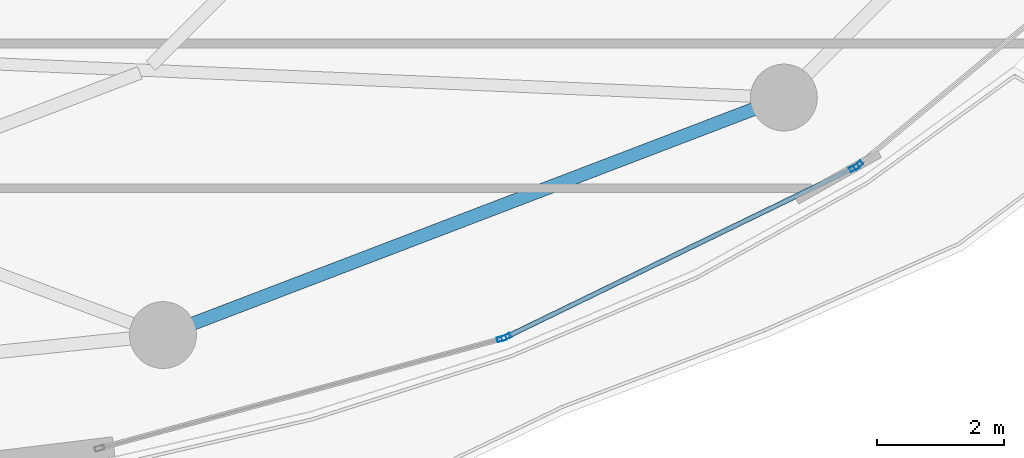
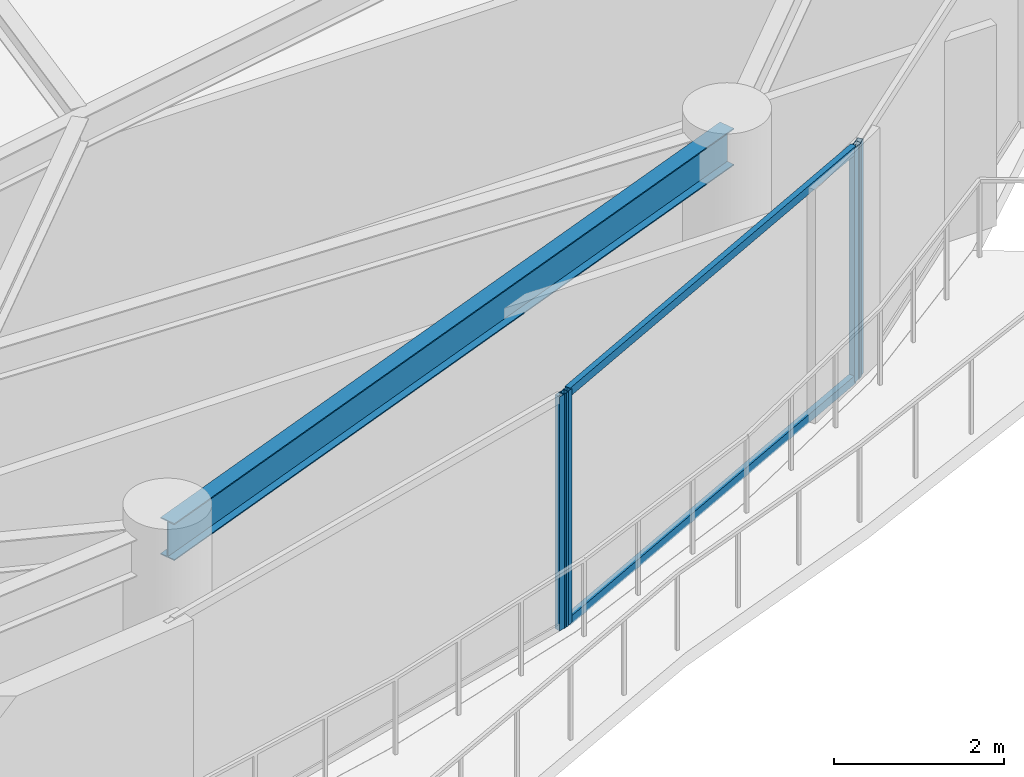
# One storey, part 13 of 31: 6 members, 1 beam, 3 elements without a shape of their own.
"""IFC4 building model written with IfcOpenShell, lengths in metres."""

from ifc_helpers import new_model, si_unit, direction, frame, origin, origin_2d, place, context, subcontext, project, spatial, hollow_rectangle, i_section, extrude, material, layer, layer_set, material_profile, profile_set, type_object, element, aggregate, save


model = new_model("IFC4")

# Units and contexts
model_context = context("Model", 3, precision=1e-05, world=origin(), true_north=direction((0.0, 1.0)))
body_context = subcontext(model_context, "Body", "Model", "MODEL_VIEW")
ifc_project = project(units=[si_unit("LENGTHUNIT", "METRE"), si_unit("AREAUNIT", "SQUARE_METRE"), si_unit("VOLUMEUNIT", "CUBIC_METRE"), si_unit("PLANEANGLEUNIT", "RADIAN"), si_unit("MASSUNIT", "GRAM", prefix="KILO")], contexts=[model_context])

# Site, building, storey
site_placement = place(None, origin())
site = spatial("IfcSite", under=ifc_project, at=site_placement, CompositionType="ELEMENT")
building_placement = place(site_placement, origin())
building = spatial("IfcBuilding", under=site, at=building_placement, Name="Kazevale Care Tower and Concert Hall", CompositionType="ELEMENT")
storey_placement = place(building_placement, frame((0.0, 0.0, 217.199951171875)))
storey = spatial("IfcBuildingStorey", under=building, at=storey_placement, Name="L57", CompositionType="ELEMENT", Elevation=217.199951171875)

# Curtain wall, member
ifc_material_1 = material(Name="Aluminium 6063-T6 and Low-E Glass", Category="aluminium")
ifc_layer = layer(ifc_material_1, 0.179931640625)
ifc_layer_set = layer_set([ifc_layer], Name="Aluminium 6063-T6 and Low-E Glass")
curtain_wall_type = type_object("IfcCurtainWallType", Name="Sheltered Concave Balcony Curtain Wall CW-5", PredefinedType="NOTDEFINED", material=ifc_layer_set)
curtain_wall_1_placement = place(storey_placement, origin())
curtain_wall_1 = element("IfcCurtainWall", 1, at=curtain_wall_1_placement, inside=storey, type_object=curtain_wall_type, Name="cw:L57:f02", PredefinedType="NOTDEFINED")
ifc_material_2 = material(Name="Aluminium 6063-T6", Category="aluminium")
ifc_material_profile_1 = material_profile(ifc_material_2, hollow_rectangle(XDim=0.074951171875, YDim=0.14990234375, WallThickness=0.00390625, at=origin_2d()), Name="ALU75x150x4")
ifc_profile_set_1 = profile_set([ifc_material_profile_1], Name="Aluminium 6063-T6")
member_type_1 = type_object("IfcMemberType", Name="CW-5 Mullion ALU75x150x4", PredefinedType="MULLION", material=ifc_profile_set_1)
member_1_placement = place(storey_placement, frame((67.417724609375, 21.5869140625, 0.0), z_axis=(0.0, 0.0, 1.0), x_axis=(0.639961217204, -0.768407210062, 0.0)))
member_1 = element("IfcMember", 2, at=member_1_placement, type_object=member_type_1, Name="CW-5 mullion 2", PredefinedType="MULLION", context=body_context, shape_type="SweptSolid", body=[
    extrude(hollow_rectangle(XDim=0.074951171875, YDim=0.14990234375, WallThickness=0.00390625, at=origin_2d()), origin(), (0.0, 0.0, 1.0), 3.360107421875),
])
aggregate(curtain_wall_1, [member_1])

# Curtain wall, members
curtain_wall_2_placement = place(storey_placement, origin())
curtain_wall_2 = element("IfcCurtainWall", 3, at=curtain_wall_2_placement, inside=storey, type_object=curtain_wall_type, Name="cw:L57:f03", PredefinedType="NOTDEFINED")
member_2_placement = place(storey_placement, frame((67.355224609375, 21.546630859375, 0.0), z_axis=(0.0, 0.0, 1.0), x_axis=(0.437238357087, -0.89934566163, 0.0)))
member_2 = element("IfcMember", 4, at=member_2_placement, type_object=member_type_1, Name="CW-5 mullion 1", PredefinedType="MULLION", context=body_context, shape_type="SweptSolid", body=[
    extrude(hollow_rectangle(XDim=0.074951171875, YDim=0.14990234375, WallThickness=0.00390625, at=origin_2d()), origin(), (0.0, 0.0, 1.0), 3.360107421875),
])
member_3_placement = place(storey_placement, frame((61.8896484375, 18.889404296875, 0.0), z_axis=(0.0, 0.0, 1.0), x_axis=(0.437238357087, -0.89934566163, 0.0)))
member_3 = element("IfcMember", 5, at=member_3_placement, type_object=member_type_1, Name="CW-5 mullion 2", PredefinedType="MULLION", context=body_context, shape_type="SweptSolid", body=[
    extrude(hollow_rectangle(XDim=0.074951171875, YDim=0.14990234375, WallThickness=0.00390625, at=origin_2d()), origin(), (0.0, 0.0, 1.0), 3.360107421875),
])

# Curtain wall, member
curtain_wall_3_placement = place(storey_placement, origin())
curtain_wall_3 = element("IfcCurtainWall", 6, at=curtain_wall_3_placement, inside=storey, type_object=curtain_wall_type, Name="cw:L57:f04", PredefinedType="NOTDEFINED")
member_4_placement = place(storey_placement, frame((61.81982421875, 18.863037109375, 0.0), z_axis=(0.0, 0.0, 1.0), x_axis=(0.262848968947, -0.964836991167, 0.0)))
member_4 = element("IfcMember", 7, at=member_4_placement, type_object=member_type_1, Name="CW-5 mullion 1", PredefinedType="MULLION", context=body_context, shape_type="SweptSolid", body=[
    extrude(hollow_rectangle(XDim=0.074951171875, YDim=0.14990234375, WallThickness=0.00390625, at=origin_2d()), origin(), (0.0, 0.0, 1.0), 3.360107421875),
])
aggregate(curtain_wall_3, [member_4])

# Member
ifc_material_profile_2 = material_profile(ifc_material_2, hollow_rectangle(XDim=0.074951171875, YDim=0.1201171875, WallThickness=0.00390625, at=origin_2d()), Name="ALU75x120x4")
ifc_profile_set_2 = profile_set([ifc_material_profile_2], Name="Aluminium 6063-T6")
member_type_2 = type_object("IfcMemberType", Name="CW-5 Transom ALU75x120x4", PredefinedType="USERDEFINED", material=ifc_profile_set_2)
member_5_placement = place(storey_placement, frame((67.321533203125, 21.5302734375, 0.03759765625), z_axis=(-0.899342308406, -0.437245254189, 0.0), x_axis=(0.437245254189, -0.899342308406, 0.0)))
member_5 = element("IfcMember", 8, at=member_5_placement, type_object=member_type_2, Name="CW-5 transom 1.1", ObjectType="TRANSOM", PredefinedType="USERDEFINED", context=body_context, shape_type="SweptSolid", body=[
    extrude(hollow_rectangle(XDim=0.074951171875, YDim=0.1201171875, WallThickness=0.00390625, at=origin_2d()), origin(), (0.0, 0.0, 1.0), 6.00244140625),
])

member_6_placement = place(storey_placement, frame((67.321533203125, 21.5302734375, 3.322509765625), z_axis=(-0.899342308406, -0.437245254189, 0.0), x_axis=(0.437245254189, -0.899342308406, 0.0)))
member_6 = element("IfcMember", 9, at=member_6_placement, type_object=member_type_2, Name="CW-5 transom 1.2", ObjectType="TRANSOM", PredefinedType="USERDEFINED", context=body_context, shape_type="SweptSolid", body=[
    extrude(hollow_rectangle(XDim=0.074951171875, YDim=0.1201171875, WallThickness=0.00390625, at=origin_2d()), origin(), (0.0, 0.0, 1.0), 6.00244140625),
])

aggregate(curtain_wall_2, [member_2, member_3, member_5, member_6])

# Beam
ifc_material_3 = material(Name="Steel ASTM A572 Gr 50", Category="steel")
ifc_material_profile_3 = material_profile(ifc_material_3, i_section(OverallWidth=0.208984375, OverallDepth=0.532958984375, WebThickness=0.01025390625, FlangeThickness=0.015625, at=origin_2d()), Name="W530x92")
ifc_profile_set_3 = profile_set([ifc_material_profile_3], Name="Steel ASTM A572 Gr 50")
beam_type = type_object("IfcBeamType", Name="Upper Ring Beam W530x92", PredefinedType="BEAM", material=ifc_profile_set_3)
beam_placement = place(storey_placement, frame((56.5, 18.919921875, 3.093505859375), z_axis=(0.933986653173, 0.357307894811, 0.0), x_axis=(-0.357307894811, 0.933986653173, 0.0)))
element("IfcBeam", 10, at=beam_placement, inside=storey, type_object=beam_type, Name="beam:L57:ring:14", PredefinedType="BEAM", context=body_context, shape_type="SweptSolid", body=[
    extrude(i_section(OverallWidth=0.208984375, OverallDepth=0.532958984375, WebThickness=0.01025390625, FlangeThickness=0.015625, at=origin_2d()), origin(), (0.0, 0.0, 1.0), 10.439208984375),
])

save(model, "model.ifc")
